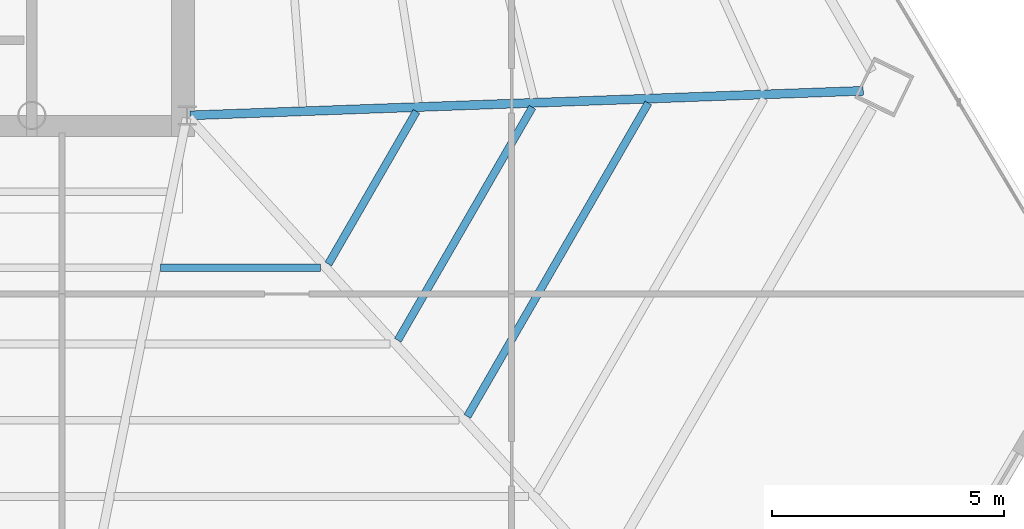
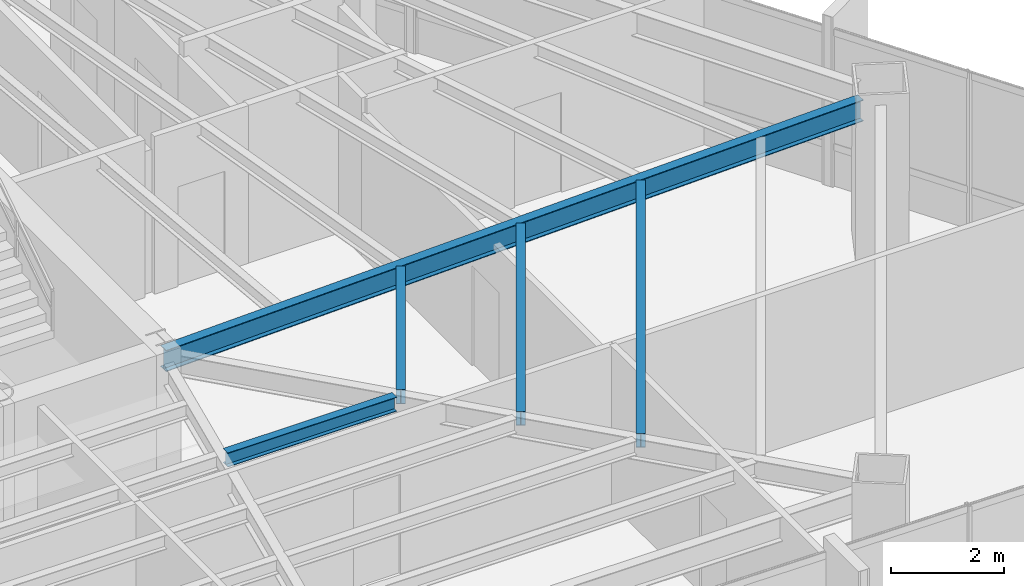
# One storey, part 20 of 41: 5 beams.
"""IFC4 building model written with IfcOpenShell, lengths in metres."""

from ifc_helpers import new_model, si_unit, direction, frame, origin, origin_2d, place, context, subcontext, project, spatial, i_section, extrude, source, transform, mapped, material, material_profile, profile_set, type_object, type_shapes, element, save


model = new_model("IFC4")

# Units and contexts
model_context = context("Model", 3, precision=1e-05, world=origin(), true_north=direction((0.0, 1.0)))
body_context = subcontext(model_context, "Body", "Model", "MODEL_VIEW")
ifc_project = project(units=[si_unit("LENGTHUNIT", "METRE"), si_unit("AREAUNIT", "SQUARE_METRE"), si_unit("VOLUMEUNIT", "CUBIC_METRE"), si_unit("PLANEANGLEUNIT", "RADIAN"), si_unit("MASSUNIT", "GRAM", prefix="KILO")], contexts=[model_context])

# Site, building, storey
site_placement = place(None, origin())
site = spatial("IfcSite", under=ifc_project, at=site_placement, CompositionType="ELEMENT")
building_placement = place(site_placement, origin())
building = spatial("IfcBuilding", under=site, at=building_placement, Name="Caelisora Broadcast Tower", CompositionType="ELEMENT")
storey_placement = place(building_placement, frame((0.0, 0.0, 162.14990234375)))
storey = spatial("IfcBuildingStorey", under=building, at=storey_placement, Name="L42", CompositionType="ELEMENT", Elevation=162.14990234375)

# Beams
ifc_material = material(Name="Steel Grade 350 (AS/NZS 3679.1)", Category="steel")
ifc_material_profile_1 = material_profile(ifc_material, i_section(OverallWidth=0.19091796875, OverallDepth=0.46044921875, WebThickness=0.010009765625, FlangeThickness=0.01611328125, at=origin_2d()), Name="Steel Grade 350 (AS/NZS 3679.1)")
ifc_profile_set_1 = profile_set([ifc_material_profile_1], Name="Steel Grade 350 (AS/NZS 3679.1)")
beam_type_1 = type_object("IfcBeamType", Name="PG06", PredefinedType="BEAM", material=ifc_profile_set_1)
shared_shape_1 = source(origin(), body_context, "Body", "SweptSolid", [
    extrude(i_section(OverallWidth=0.19091796875, OverallDepth=0.46044921875, WebThickness=0.010009765625, FlangeThickness=0.01611328125, at=origin_2d()), origin(), (0.0, 0.0, 1.0), 14.533935546875),
])
type_shapes(beam_type_1, [shared_shape_1])
beam_1_placement = place(storey_placement, frame((45.56005859375, 17.402099609375, 3.169921875), z_axis=(0.999334797911, 0.036468639731, 0.0), x_axis=(-0.036468639731, 0.999334797911, 0.0)))
element("IfcBeam", 1, at=beam_1_placement, inside=storey, type_object=beam_type_1, Name="L42 beam PG06", PredefinedType="BEAM", context=body_context, shape_type="MappedRepresentation", body=[
    mapped(shared_shape_1, transform((0.0, 0.0, 0.0), scale=1.0)),
])
ifc_material_profile_2 = material_profile(ifc_material, i_section(OverallWidth=0.166015625, OverallDepth=0.30712890625, WebThickness=0.006591796875, FlangeThickness=0.01171875, at=origin_2d()), Name="Steel Grade 350 (AS/NZS 3679.1)")
ifc_profile_set_2 = profile_set([ifc_material_profile_2], Name="Steel Grade 350 (AS/NZS 3679.1)")
beam_type_2 = type_object("IfcBeamType", Name="SB03", PredefinedType="JOIST", material=ifc_profile_set_2)
shared_shape_2 = source(origin(), body_context, "Body", "SweptSolid", [
    extrude(i_section(OverallWidth=0.166015625, OverallDepth=0.30712890625, WebThickness=0.006591796875, FlangeThickness=0.01171875, at=origin_2d()), origin(), (0.0, 0.0, 1.0), 3.800048828125),
])
beam_2_placement = place(storey_placement, frame((48.54638671875, 14.196533203125, 3.24658203125), z_axis=(0.499967155389, 0.866044365799, 0.0), x_axis=(-0.866044365799, 0.499967155389, 0.0)))
element("IfcBeam", 2, at=beam_2_placement, inside=storey, type_object=beam_type_2, Name="L42 beam SB03", PredefinedType="JOIST", context=body_context, shape_type="MappedRepresentation", body=[
    mapped(shared_shape_2, transform((0.0, 0.0, 0.0), scale=1.0)),
])
shared_shape_3 = source(origin(), body_context, "Body", "SweptSolid", [
    extrude(i_section(OverallWidth=0.166015625, OverallDepth=0.30712890625, WebThickness=0.006591796875, FlangeThickness=0.01171875, at=origin_2d()), origin(), (0.0, 0.0, 1.0), 5.80322265625),
])
beam_3_placement = place(storey_placement, frame((50.04541015625, 12.552978515625, 3.24658203125), z_axis=(0.500007721242, 0.866020945878, 0.0), x_axis=(-0.866020945878, 0.500007721242, 0.0)))
element("IfcBeam", 3, at=beam_3_placement, inside=storey, type_object=beam_type_2, Name="L42 beam SB03", PredefinedType="JOIST", context=body_context, shape_type="MappedRepresentation", body=[
    mapped(shared_shape_3, transform((0.0, 0.0, 0.0), scale=1.0)),
])
shared_shape_4 = source(origin(), body_context, "Body", "SweptSolid", [
    extrude(i_section(OverallWidth=0.166015625, OverallDepth=0.30712890625, WebThickness=0.006591796875, FlangeThickness=0.01171875, at=origin_2d()), origin(), (0.0, 0.0, 1.0), 7.806640625),
])
beam_4_placement = place(storey_placement, frame((51.544189453125, 10.9091796875, 3.24658203125), z_axis=(0.500023837935, 0.866011640509, 0.0), x_axis=(-0.866011640509, 0.500023837935, 0.0)))
element("IfcBeam", 4, at=beam_4_placement, inside=storey, type_object=beam_type_2, Name="L42 beam SB03", PredefinedType="JOIST", context=body_context, shape_type="MappedRepresentation", body=[
    mapped(shared_shape_4, transform((0.0, 0.0, 0.0), scale=1.0)),
])
shared_shape_5 = source(origin(), body_context, "Body", "SweptSolid", [
    extrude(i_section(OverallWidth=0.166015625, OverallDepth=0.30712890625, WebThickness=0.006591796875, FlangeThickness=0.01171875, at=origin_2d()), origin(), (0.0, 0.0, 1.0), 3.444580078125),
])
type_shapes(beam_type_2, [shared_shape_2, shared_shape_3, shared_shape_4, shared_shape_5])
beam_5_placement = place(storey_placement, frame((44.927001953125, 14.112548828125, 3.24658203125), z_axis=(1.0, 0.0, 0.0), x_axis=(0.0, 1.0, 0.0)))
element("IfcBeam", 5, at=beam_5_placement, inside=storey, type_object=beam_type_2, Name="L42 beam SB03", PredefinedType="JOIST", context=body_context, shape_type="MappedRepresentation", body=[
    mapped(shared_shape_5, transform((0.0, 0.0, 0.0), scale=1.0)),
])

save(model, "model.ifc")
